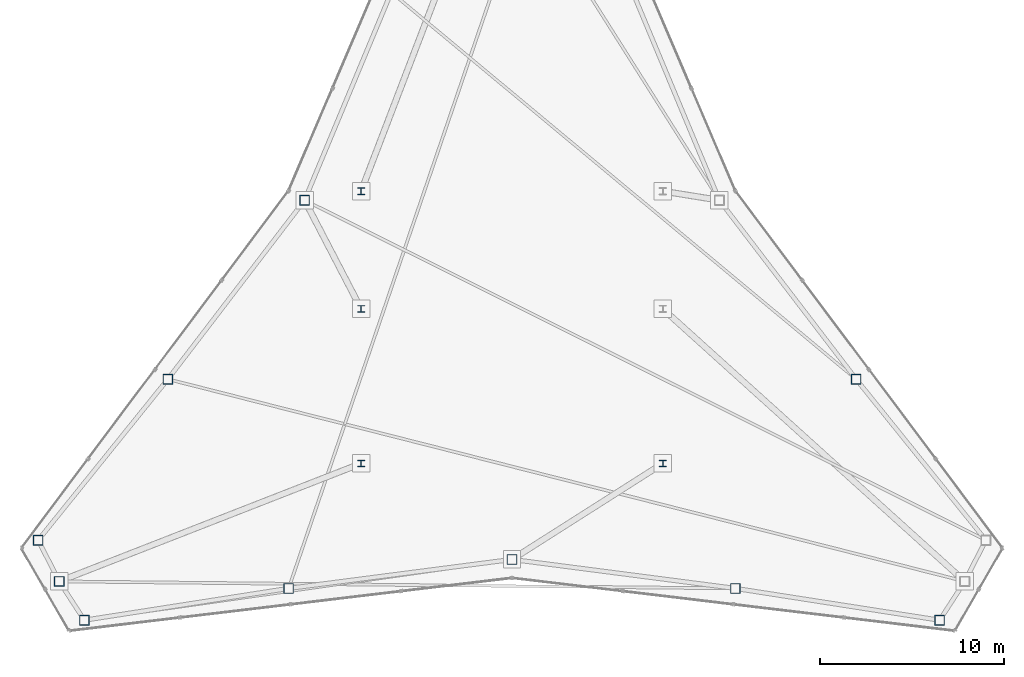
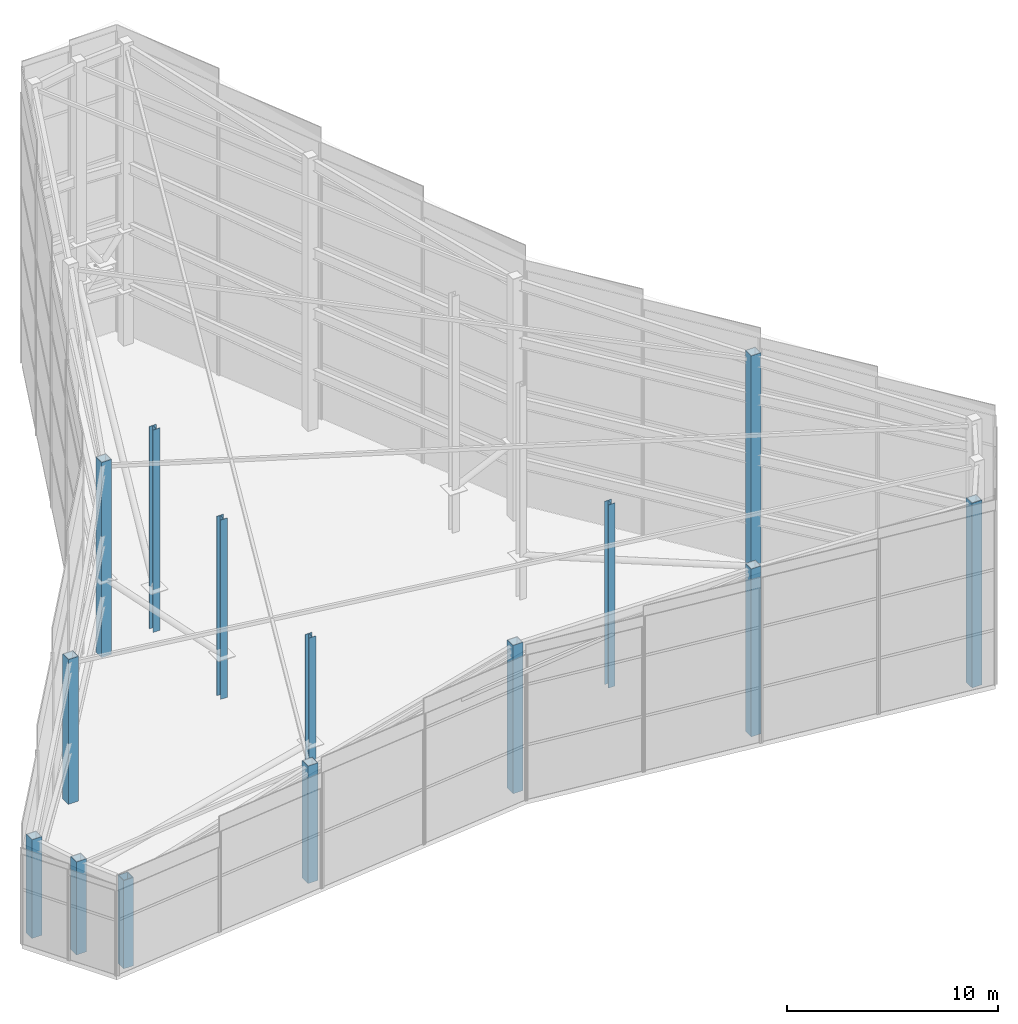
# One storey, part 1 of 17: 14 columns.
"""IFC4 building model written with IfcOpenShell, lengths in metres."""

from ifc_helpers import new_model, si_unit, direction, frame, origin, origin_2d, place, context, subcontext, project, spatial, hollow_rectangle, i_section, extrude, material, material_profile, profile_set, type_object, element, save


model = new_model("IFC4")

# Units and contexts
model_context = context("Model", 3, precision=1e-05, world=origin(), true_north=direction((0.0, 1.0)))
body_context = subcontext(model_context, "Body", "Model", "MODEL_VIEW")
ifc_project = project(units=[si_unit("LENGTHUNIT", "METRE"), si_unit("AREAUNIT", "SQUARE_METRE"), si_unit("VOLUMEUNIT", "CUBIC_METRE"), si_unit("PLANEANGLEUNIT", "RADIAN"), si_unit("MASSUNIT", "GRAM", prefix="KILO")], contexts=[model_context])

# Site, building, storey
site_placement = place(None, origin())
site = spatial("IfcSite", under=ifc_project, at=site_placement, CompositionType="ELEMENT")
building_placement = place(site_placement, origin())
building = spatial("IfcBuilding", under=site, at=building_placement, Name="Varakhsha Concourse Tower", CompositionType="ELEMENT")
storey_placement = place(building_placement, frame((0.0, 0.0, 294.800048828125)))
storey = spatial("IfcBuildingStorey", under=building, at=storey_placement, Name="RF", CompositionType="ELEMENT", Elevation=294.800048828125)

# Columns
ifc_material_1 = material(Name="Structural Steel ASTM A992 Grade 50", Category="steel")
ifc_material_profile_1 = material_profile(ifc_material_1, i_section(OverallWidth=0.3740234375, OverallDepth=0.3720703125, WebThickness=0.01611328125, FlangeThickness=0.02587890625, at=origin_2d()), Name="W14X132")
ifc_profile_set_1 = profile_set([ifc_material_profile_1], Name="Structural Steel ASTM A992 Grade 50")
column_type_1 = type_object("IfcColumnType", Name="CL-CORE-W14X132", PredefinedType="COLUMN", material=ifc_profile_set_1)
column_1_placement = place(storey_placement, frame((31.800048828125, 16.39990234375, 0.0), z_axis=(0.0, 0.0, 1.0), x_axis=(1.0, 0.0, 0.0)))
element("IfcColumn", 1, at=column_1_placement, inside=storey, type_object=column_type_1, Name="Crown Attic Core Post CC-SW", PredefinedType="COLUMN", context=body_context, shape_type="SweptSolid", body=[
    extrude(i_section(OverallWidth=0.3740234375, OverallDepth=0.3720703125, WebThickness=0.01611328125, FlangeThickness=0.02587890625, at=origin_2d()), origin(), (0.0, 0.0, 1.0), 8.640625),
])
column_2_placement = place(storey_placement, frame((48.199951171875, 16.39990234375, 0.0), z_axis=(0.0, 0.0, 1.0), x_axis=(1.0, 0.0, 0.0)))
element("IfcColumn", 2, at=column_2_placement, inside=storey, type_object=column_type_1, Name="Crown Attic Core Post CC-SE", PredefinedType="COLUMN", context=body_context, shape_type="SweptSolid", body=[
    extrude(i_section(OverallWidth=0.3740234375, OverallDepth=0.3720703125, WebThickness=0.01611328125, FlangeThickness=0.02587890625, at=origin_2d()), origin(), (0.0, 0.0, 1.0), 10.609130859375),
])
column_3_placement = place(storey_placement, frame((31.800048828125, 24.800048828125, 0.0), z_axis=(0.0, 0.0, 1.0), x_axis=(1.0, 0.0, 0.0)))
element("IfcColumn", 3, at=column_3_placement, inside=storey, type_object=column_type_1, Name="Crown Attic Core Post CC-MW", PredefinedType="COLUMN", context=body_context, shape_type="SweptSolid", body=[
    extrude(i_section(OverallWidth=0.3740234375, OverallDepth=0.3720703125, WebThickness=0.01611328125, FlangeThickness=0.02587890625, at=origin_2d()), origin(), (0.0, 0.0, 1.0), 10.386962890625),
])
column_4_placement = place(storey_placement, frame((31.800048828125, 31.199951171875, 0.0), z_axis=(0.0, 0.0, 1.0), x_axis=(1.0, 0.0, 0.0)))
element("IfcColumn", 4, at=column_4_placement, inside=storey, type_object=column_type_1, Name="Crown Attic Core Post CC-NW", PredefinedType="COLUMN", context=body_context, shape_type="SweptSolid", body=[
    extrude(i_section(OverallWidth=0.3740234375, OverallDepth=0.3720703125, WebThickness=0.01611328125, FlangeThickness=0.02587890625, at=origin_2d()), origin(), (0.0, 0.0, 1.0), 11.7177734375),
])
ifc_material_2 = material(Name="Structural Steel ASTM A572 Grade 50", Category="steel")
ifc_material_profile_2 = material_profile(ifc_material_2, hollow_rectangle(XDim=0.550048828125, YDim=0.550048828125, WallThickness=0.0380859375, at=origin_2d()), Name="BOX 550x550x38")
ifc_profile_set_2 = profile_set([ifc_material_profile_2], Name="Structural Steel ASTM A572 Grade 50")
column_type_2 = type_object("IfcColumnType", Name="CL-CROWN-550", PredefinedType="COLUMN", material=ifc_profile_set_2)
column_5_placement = place(storey_placement, frame((28.728759765625, 30.70751953125, 0.0), z_axis=(0.0, 0.0, 1.0), x_axis=(1.0, 0.0, 0.0)))
element("IfcColumn", 5, at=column_5_placement, inside=storey, type_object=column_type_2, Name="Crown Frame Post CP05", PredefinedType="COLUMN", context=body_context, shape_type="SweptSolid", body=[
    extrude(hollow_rectangle(XDim=0.550048828125, YDim=0.550048828125, WallThickness=0.0380859375, at=origin_2d()), origin(), (0.0, 0.0, 1.0), 11.296630859375),
])
column_6_placement = place(storey_placement, frame((21.294921875, 20.981201171875, 0.0), z_axis=(0.0, 0.0, 1.0), x_axis=(1.0, 0.0, 0.0)))
element("IfcColumn", 6, at=column_6_placement, inside=storey, type_object=column_type_2, Name="Crown Frame Post CP06", PredefinedType="COLUMN", context=body_context, shape_type="SweptSolid", body=[
    extrude(hollow_rectangle(XDim=0.550048828125, YDim=0.550048828125, WallThickness=0.0380859375, at=origin_2d()), origin(), (0.0, 0.0, 1.0), 8.382080078125),
])
column_7_placement = place(storey_placement, frame((14.24609375, 12.229736328125, 0.0), z_axis=(0.0, 0.0, 1.0), x_axis=(1.0, 0.0, 0.0)))
element("IfcColumn", 7, at=column_7_placement, inside=storey, type_object=column_type_2, Name="Crown Frame Post CP07", PredefinedType="COLUMN", context=body_context, shape_type="SweptSolid", body=[
    extrude(hollow_rectangle(XDim=0.550048828125, YDim=0.550048828125, WallThickness=0.0380859375, at=origin_2d()), origin(), (0.0, 0.0, 1.0), 5.71630859375),
])
column_8_placement = place(storey_placement, frame((15.390380859375, 9.99169921875, 0.0), z_axis=(0.0, 0.0, 1.0), x_axis=(1.0, 0.0, 0.0)))
element("IfcColumn", 8, at=column_8_placement, inside=storey, type_object=column_type_2, Name="Crown Frame Post CP08", PredefinedType="COLUMN", context=body_context, shape_type="SweptSolid", body=[
    extrude(hollow_rectangle(XDim=0.550048828125, YDim=0.550048828125, WallThickness=0.0380859375, at=origin_2d()), origin(), (0.0, 0.0, 1.0), 5.388427734375),
])
column_9_placement = place(storey_placement, frame((16.756591796875, 7.881591796875, 0.0), z_axis=(0.0, 0.0, 1.0), x_axis=(1.0, 0.0, 0.0)))
element("IfcColumn", 9, at=column_9_placement, inside=storey, type_object=column_type_2, Name="Crown Frame Post CP09", PredefinedType="COLUMN", context=body_context, shape_type="SweptSolid", body=[
    extrude(hollow_rectangle(XDim=0.550048828125, YDim=0.550048828125, WallThickness=0.0380859375, at=origin_2d()), origin(), (0.0, 0.0, 1.0), 5.11376953125),
])
column_10_placement = place(storey_placement, frame((27.85986328125, 9.6103515625, 0.0), z_axis=(0.0, 0.0, 1.0), x_axis=(1.0, 0.0, 0.0)))
element("IfcColumn", 10, at=column_10_placement, inside=storey, type_object=column_type_2, Name="Crown Frame Post CP10", PredefinedType="COLUMN", context=body_context, shape_type="SweptSolid", body=[
    extrude(hollow_rectangle(XDim=0.550048828125, YDim=0.550048828125, WallThickness=0.0380859375, at=origin_2d()), origin(), (0.0, 0.0, 1.0), 6.805908203125),
])
column_11_placement = place(storey_placement, frame((40.0, 11.18505859375, 0.0), z_axis=(0.0, 0.0, 1.0), x_axis=(1.0, 0.0, 0.0)))
element("IfcColumn", 11, at=column_11_placement, inside=storey, type_object=column_type_2, Name="Crown Frame Post CP11", PredefinedType="COLUMN", context=body_context, shape_type="SweptSolid", body=[
    extrude(hollow_rectangle(XDim=0.550048828125, YDim=0.550048828125, WallThickness=0.0380859375, at=origin_2d()), origin(), (0.0, 0.0, 1.0), 8.590576171875),
])
column_12_placement = place(storey_placement, frame((52.14013671875, 9.6103515625, 0.0), z_axis=(0.0, 0.0, 1.0), x_axis=(1.0, 0.0, 0.0)))
element("IfcColumn", 12, at=column_12_placement, inside=storey, type_object=column_type_2, Name="Crown Frame Post CP12", PredefinedType="COLUMN", context=body_context, shape_type="SweptSolid", body=[
    extrude(hollow_rectangle(XDim=0.550048828125, YDim=0.550048828125, WallThickness=0.0380859375, at=origin_2d()), origin(), (0.0, 0.0, 1.0), 9.720458984375),
])
column_13_placement = place(storey_placement, frame((63.243408203125, 7.881591796875, 0.0), z_axis=(0.0, 0.0, 1.0), x_axis=(1.0, 0.0, 0.0)))
element("IfcColumn", 13, at=column_13_placement, inside=storey, type_object=column_type_2, Name="Crown Frame Post CP13", PredefinedType="COLUMN", context=body_context, shape_type="SweptSolid", body=[
    extrude(hollow_rectangle(XDim=0.550048828125, YDim=0.550048828125, WallThickness=0.0380859375, at=origin_2d()), origin(), (0.0, 0.0, 1.0), 10.69384765625),
])
column_14_placement = place(storey_placement, frame((58.705078125, 20.981201171875, 0.0), z_axis=(0.0, 0.0, 1.0), x_axis=(1.0, 0.0, 0.0)))
element("IfcColumn", 14, at=column_14_placement, inside=storey, type_object=column_type_2, Name="Crown Frame Post CP16", PredefinedType="COLUMN", context=body_context, shape_type="SweptSolid", body=[
    extrude(hollow_rectangle(XDim=0.550048828125, YDim=0.550048828125, WallThickness=0.0380859375, at=origin_2d()), origin(), (0.0, 0.0, 1.0), 12.872802734375),
])

save(model, "model.ifc")
